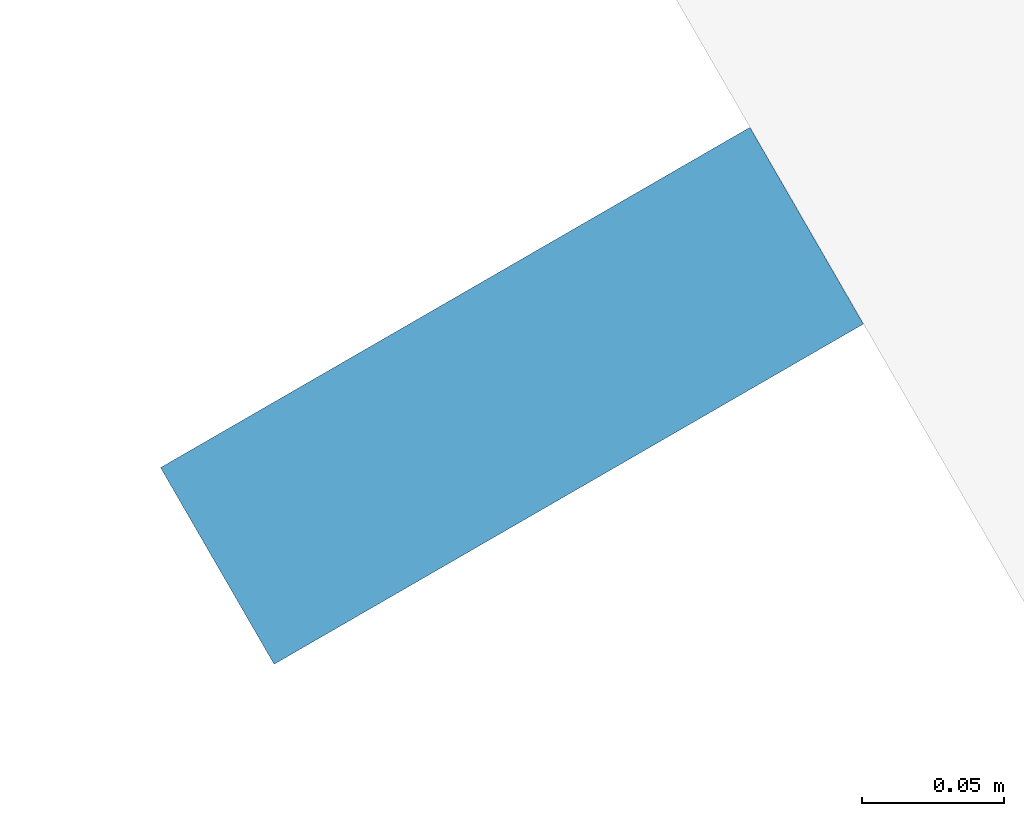
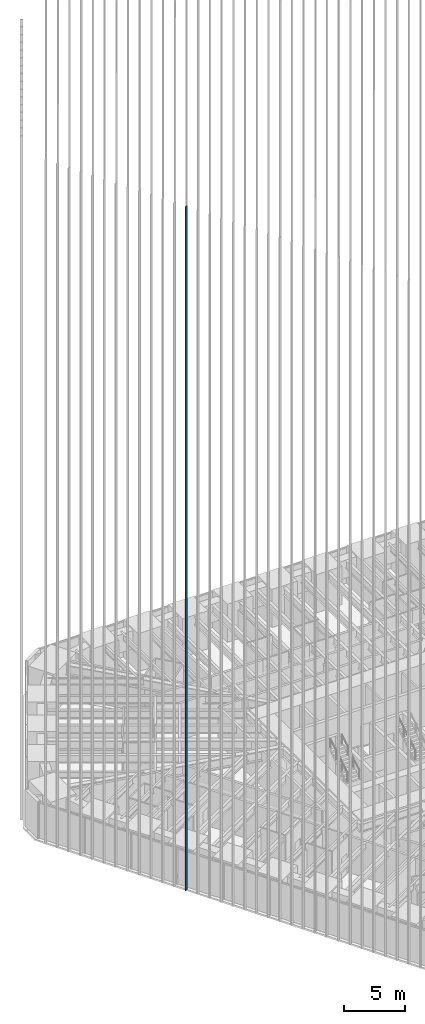
# One storey, part 41 of 256: 1 member, 1 element without a shape of its own.
"""IFC4 building model written with IfcOpenShell, lengths in metres."""

from ifc_helpers import new_model, si_unit, direction, frame, origin, origin_2d, place, context, subcontext, project, spatial, rectangle, extrude, material, material_profile, profile_set, type_object, element, aggregate, save


model = new_model("IFC4")

# Units and contexts
model_context = context("Model", 3, precision=1e-05, world=origin(), true_north=direction((0.0, 1.0)))
body_context = subcontext(model_context, "Body", "Model", "MODEL_VIEW")
ifc_project = project(units=[si_unit("LENGTHUNIT", "METRE"), si_unit("AREAUNIT", "SQUARE_METRE"), si_unit("VOLUMEUNIT", "CUBIC_METRE"), si_unit("PLANEANGLEUNIT", "RADIAN"), si_unit("MASSUNIT", "GRAM", prefix="KILO")], contexts=[model_context])

# Site, building, storey
site_placement = place(None, origin())
site = spatial("IfcSite", under=ifc_project, at=site_placement, CompositionType="ELEMENT")
building_placement = place(site_placement, origin())
building = spatial("IfcBuilding", under=site, at=building_placement, Name="Sandreach Pilgrim Tower", CompositionType="ELEMENT")
storey_placement = place(building_placement, frame((0.0, 0.0, 23.0)))
storey = spatial("IfcBuildingStorey", under=building, at=storey_placement, Name="L04", CompositionType="ELEMENT", Elevation=23.0)

# Curtain wall, member
ifc_material_1 = material(Name="Aluminium framed curtain wall", Category="aluminium")
curtain_wall_type = type_object("IfcCurtainWallType", Name="Hostel tower curtain wall", PredefinedType="NOTDEFINED", material=ifc_material_1)
curtain_wall_placement = place(storey_placement, origin())
curtain_wall = element("IfcCurtainWall", 1, at=curtain_wall_placement, inside=storey, type_object=curtain_wall_type, Name="CW-1 L04 SW", PredefinedType="NOTDEFINED")
ifc_material_2 = material(Name="Extruded terracotta on aluminium core", Category="masonry")
ifc_material_profile = material_profile(ifc_material_2, rectangle(XDim=0.080078125, YDim=0.239990234375, at=origin_2d()), Name="TBW 80X240")
ifc_profile_set = profile_set([ifc_material_profile], Name="Extruded terracotta on aluminium core")
member_type = type_object("IfcMemberType", Name="Terracotta baguette west", PredefinedType="USERDEFINED", material=ifc_profile_set)
member_placement = place(storey_placement, frame((-23.869873046875, -7.3935546875, 0.0), z_axis=(0.0, 0.0, 1.0), x_axis=(-0.5, 0.866025403784, 0.0)))
member = element("IfcMember", 2, at=member_placement, type_object=member_type, Name="Baguette Z1 SW23", ObjectType="BAGUETTE", PredefinedType="USERDEFINED", context=body_context, shape_type="SweptSolid", body=[
    extrude(rectangle(XDim=0.080078125, YDim=0.239990234375, at=origin_2d()), origin(), (0.0, 0.0, 1.0), 68.239990234375),
])
aggregate(curtain_wall, [member])

save(model, "model.ifc")
